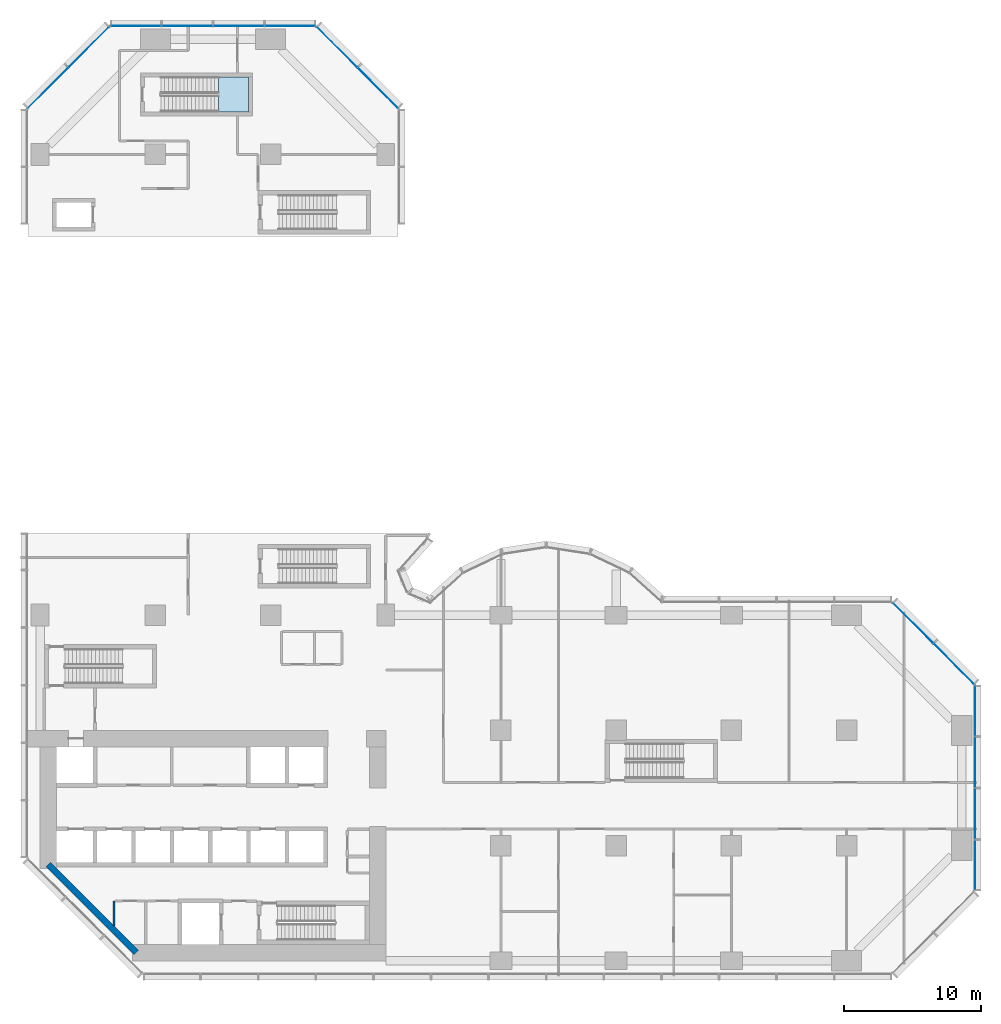
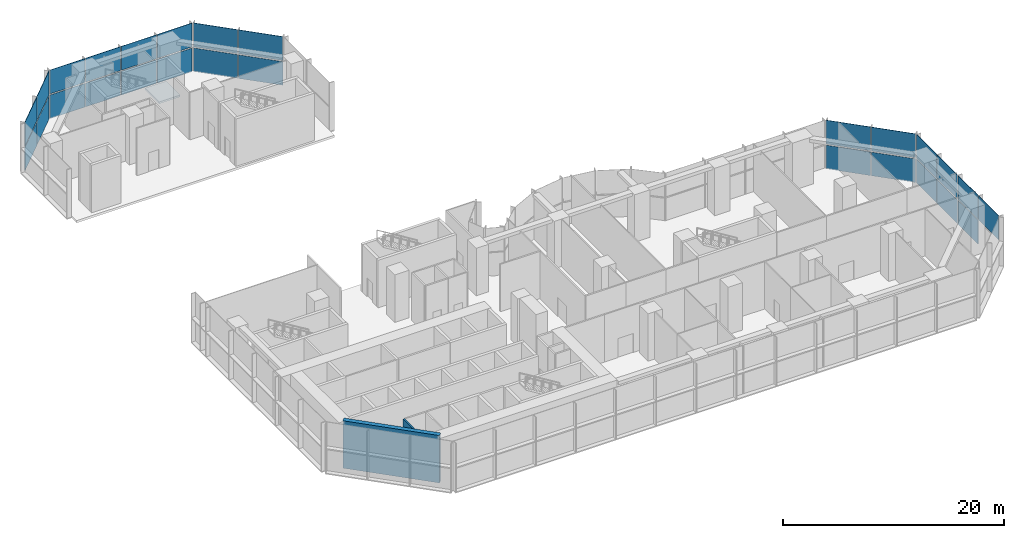
# One storey, part 7 of 16: 27 plates, 2 walls, 1 slab, 6 elements without a shape of their own.
"""IFC4 building model written with IfcOpenShell, lengths in metres."""

from ifc_helpers import new_model, si_unit, direction, frame, frame_2d, origin, place, context, subcontext, project, spatial, polyline, rectangle, outline, extrude, material, layer, layer_set, type_object, element, aggregate, save


model = new_model("IFC4")

# Units and contexts
model_context = context("Model", 3, precision=1e-05, world=origin(), true_north=direction((0.0, 1.0)))
body_context = subcontext(model_context, "Body", "Model", "MODEL_VIEW")
ifc_project = project(units=[si_unit("LENGTHUNIT", "METRE"), si_unit("AREAUNIT", "SQUARE_METRE"), si_unit("VOLUMEUNIT", "CUBIC_METRE"), si_unit("PLANEANGLEUNIT", "RADIAN"), si_unit("MASSUNIT", "GRAM", prefix="KILO")], contexts=[model_context])

# Site, building, storey
site_placement = place(None, origin())
site = spatial("IfcSite", under=ifc_project, at=site_placement, CompositionType="ELEMENT")
building_placement = place(site_placement, origin())
building = spatial("IfcBuilding", under=site, at=building_placement, Name="Brevane Broadcast Tower", CompositionType="ELEMENT")
storey_placement = place(building_placement, frame((0.0, 0.0, 7.0)))
storey = spatial("IfcBuildingStorey", under=building, at=storey_placement, Name="L01", CompositionType="ELEMENT", Elevation=7.0)

# Curtain wall, plates
ifc_material_1 = material(Name="Aluminium 6063-T6 bronze anodised", Category="aluminium")
curtain_wall_type = type_object("IfcCurtainWallType", Name="CW-2 curtain wall", PredefinedType="NOTDEFINED", material=ifc_material_1)
curtain_wall_1_placement = place(storey_placement, origin())
curtain_wall_1 = element("IfcCurtainWall", 1, at=curtain_wall_1_placement, inside=storey, type_object=curtain_wall_type, Name="CW-2 podium base unit L01 east end", PredefinedType="NOTDEFINED")
ifc_material_2 = material(Name="Laminated glass bronze-tinted", Category="glass")
ifc_layer_1 = layer(ifc_material_2, 0.0400390625)
ifc_layer_set_1 = layer_set([ifc_layer_1], Name="CW glass panel 40")
plate_type = type_object("IfcPlateType", Name="CW glass panel 40", PredefinedType="CURTAIN_PANEL", material=ifc_layer_set_1)
plate_1_placement = place(storey_placement, frame((0.0, 0.0, 2.610107421875)))
plate_1 = element("IfcPlate", 2, at=plate_1_placement, type_object=plate_type, Name="CW-2 glass panel", PredefinedType="CURTAIN_PANEL", context=body_context, shape_type="SweptSolid", body=[
    extrude(outline(polyline([(68.169921875, 8.804931640625), (68.1298828125, 8.804931640625), (68.1298828125, 5.14501953125), (68.169921875, 5.14501953125), (68.169921875, 8.804931640625)])), origin(), (0.0, 0.0, 1.0), 2.639892578125),
])
plate_2_placement = place(storey_placement, frame((0.0, 0.0, -0.1298828125)))
plate_2 = element("IfcPlate", 3, at=plate_2_placement, type_object=plate_type, Name="CW-2 glass panel", PredefinedType="CURTAIN_PANEL", context=body_context, shape_type="SweptSolid", body=[
    extrude(outline(polyline([(68.169921875, 12.554931640625), (68.1298828125, 12.554931640625), (68.1298828125, 8.89501953125), (68.169921875, 8.89501953125), (68.169921875, 12.554931640625)])), origin(), (0.0, 0.0, 1.0), 2.619873046875),
])
plate_3_placement = place(storey_placement, frame((0.0, 0.0, 2.610107421875)))
plate_3 = element("IfcPlate", 4, at=plate_3_placement, type_object=plate_type, Name="CW-2 glass panel", PredefinedType="CURTAIN_PANEL", context=body_context, shape_type="SweptSolid", body=[
    extrude(outline(polyline([(68.169921875, 12.554931640625), (68.1298828125, 12.554931640625), (68.1298828125, 8.89501953125), (68.169921875, 8.89501953125), (68.169921875, 12.554931640625)])), origin(), (0.0, 0.0, 1.0), 2.639892578125),
])
plate_4_placement = place(storey_placement, frame((0.0, 0.0, -0.1298828125)))
plate_4 = element("IfcPlate", 5, at=plate_4_placement, type_object=plate_type, Name="CW-2 glass panel", PredefinedType="CURTAIN_PANEL", context=body_context, shape_type="SweptSolid", body=[
    extrude(outline(polyline([(68.169921875, 16.304931640625), (68.1298828125, 16.304931640625), (68.1298828125, 12.64501953125), (68.169921875, 12.64501953125), (68.169921875, 16.304931640625)])), origin(), (0.0, 0.0, 1.0), 2.619873046875),
])
plate_5_placement = place(storey_placement, frame((0.0, 0.0, 2.610107421875)))
plate_5 = element("IfcPlate", 6, at=plate_5_placement, type_object=plate_type, Name="CW-2 glass panel", PredefinedType="CURTAIN_PANEL", context=body_context, shape_type="SweptSolid", body=[
    extrude(outline(polyline([(68.169921875, 16.304931640625), (68.1298828125, 16.304931640625), (68.1298828125, 12.64501953125), (68.169921875, 12.64501953125), (68.169921875, 16.304931640625)])), origin(), (0.0, 0.0, 1.0), 2.639892578125),
])
plate_6_placement = place(storey_placement, frame((0.0, 0.0, -0.1298828125)))
plate_6 = element("IfcPlate", 7, at=plate_6_placement, type_object=plate_type, Name="CW-2 glass panel", PredefinedType="CURTAIN_PANEL", context=body_context, shape_type="SweptSolid", body=[
    extrude(outline(polyline([(68.169921875, 20.054931640625), (68.1298828125, 20.054931640625), (68.1298828125, 16.39501953125), (68.169921875, 16.39501953125), (68.169921875, 20.054931640625)])), origin(), (0.0, 0.0, 1.0), 2.619873046875),
])
plate_7_placement = place(storey_placement, frame((0.0, 0.0, 2.610107421875)))
plate_7 = element("IfcPlate", 8, at=plate_7_placement, type_object=plate_type, Name="CW-2 glass panel", PredefinedType="CURTAIN_PANEL", context=body_context, shape_type="SweptSolid", body=[
    extrude(outline(polyline([(68.169921875, 20.054931640625), (68.1298828125, 20.054931640625), (68.1298828125, 16.39501953125), (68.169921875, 16.39501953125), (68.169921875, 20.054931640625)])), origin(), (0.0, 0.0, 1.0), 2.639892578125),
])
aggregate(curtain_wall_1, [plate_1, plate_2, plate_3, plate_4, plate_5, plate_6, plate_7])

curtain_wall_2_placement = place(storey_placement, origin())
curtain_wall_2 = element("IfcCurtainWall", 9, at=curtain_wall_2_placement, inside=storey, type_object=curtain_wall_type, Name="CW-2 podium base unit L01 north-east chamfer", PredefinedType="NOTDEFINED")
plate_8_placement = place(storey_placement, frame((0.0, 0.0, -0.1298828125)))
plate_8 = element("IfcPlate", 10, at=plate_8_placement, type_object=plate_type, Name="CW-2 glass panel", PredefinedType="CURTAIN_PANEL", context=body_context, shape_type="SweptSolid", body=[
    extrude(outline(polyline([(68.08935546875, 20.153076171875), (65.153076171875, 23.08935546875), (65.181396484375, 23.11767578125), (68.11767578125, 20.181396484375), (68.08935546875, 20.153076171875)])), origin(), (0.0, 0.0, 1.0), 2.619873046875),
])
plate_9_placement = place(storey_placement, frame((0.0, 0.0, 2.610107421875)))
plate_9 = element("IfcPlate", 11, at=plate_9_placement, type_object=plate_type, Name="CW-2 glass panel", PredefinedType="CURTAIN_PANEL", context=body_context, shape_type="SweptSolid", body=[
    extrude(outline(polyline([(68.08935546875, 20.153076171875), (65.153076171875, 23.08935546875), (65.181396484375, 23.11767578125), (68.11767578125, 20.181396484375), (68.08935546875, 20.153076171875)])), origin(), (0.0, 0.0, 1.0), 2.639892578125),
])
plate_10_placement = place(storey_placement, frame((0.0, 0.0, -0.1298828125)))
plate_10 = element("IfcPlate", 12, at=plate_10_placement, type_object=plate_type, Name="CW-2 glass panel", PredefinedType="CURTAIN_PANEL", context=body_context, shape_type="SweptSolid", body=[
    extrude(outline(polyline([(65.08935546875, 23.153076171875), (62.153076171875, 26.08935546875), (62.181396484375, 26.11767578125), (65.11767578125, 23.181396484375), (65.08935546875, 23.153076171875)])), origin(), (0.0, 0.0, 1.0), 2.619873046875),
])
plate_11_placement = place(storey_placement, frame((0.0, 0.0, 2.610107421875)))
plate_11 = element("IfcPlate", 13, at=plate_11_placement, type_object=plate_type, Name="CW-2 glass panel", PredefinedType="CURTAIN_PANEL", context=body_context, shape_type="SweptSolid", body=[
    extrude(outline(polyline([(65.08935546875, 23.153076171875), (62.153076171875, 26.08935546875), (62.181396484375, 26.11767578125), (65.11767578125, 23.181396484375), (65.08935546875, 23.153076171875)])), origin(), (0.0, 0.0, 1.0), 2.639892578125),
])
aggregate(curtain_wall_2, [plate_8, plate_9, plate_10, plate_11])

curtain_wall_3_placement = place(storey_placement, origin())
curtain_wall_3 = element("IfcCurtainWall", 14, at=curtain_wall_3_placement, inside=storey, type_object=curtain_wall_type, Name="CW-2 podium base unit L01 north arm north-east chamfer", PredefinedType="NOTDEFINED")
plate_12_placement = place(storey_placement, frame((0.0, 0.0, -0.1298828125)))
plate_12 = element("IfcPlate", 15, at=plate_12_placement, type_object=plate_type, Name="CW-2 glass panel", PredefinedType="CURTAIN_PANEL", context=body_context, shape_type="SweptSolid", body=[
    extrude(outline(polyline([(26.08935546875, 62.153076171875), (23.153076171875, 65.08935546875), (23.181396484375, 65.11767578125), (26.11767578125, 62.181396484375), (26.08935546875, 62.153076171875)])), origin(), (0.0, 0.0, 1.0), 2.619873046875),
])
plate_13_placement = place(storey_placement, frame((0.0, 0.0, 2.610107421875)))
plate_13 = element("IfcPlate", 16, at=plate_13_placement, type_object=plate_type, Name="CW-2 glass panel", PredefinedType="CURTAIN_PANEL", context=body_context, shape_type="SweptSolid", body=[
    extrude(outline(polyline([(26.08935546875, 62.153076171875), (23.153076171875, 65.08935546875), (23.181396484375, 65.11767578125), (26.11767578125, 62.181396484375), (26.08935546875, 62.153076171875)])), origin(), (0.0, 0.0, 1.0), 2.639892578125),
])
plate_14_placement = place(storey_placement, frame((0.0, 0.0, -0.1298828125)))
plate_14 = element("IfcPlate", 17, at=plate_14_placement, type_object=plate_type, Name="CW-2 glass panel", PredefinedType="CURTAIN_PANEL", context=body_context, shape_type="SweptSolid", body=[
    extrude(outline(polyline([(23.08935546875, 65.153076171875), (20.153076171875, 68.08935546875), (20.181396484375, 68.11767578125), (23.11767578125, 65.181396484375), (23.08935546875, 65.153076171875)])), origin(), (0.0, 0.0, 1.0), 2.619873046875),
])
plate_15_placement = place(storey_placement, frame((0.0, 0.0, 2.610107421875)))
plate_15 = element("IfcPlate", 18, at=plate_15_placement, type_object=plate_type, Name="CW-2 glass panel", PredefinedType="CURTAIN_PANEL", context=body_context, shape_type="SweptSolid", body=[
    extrude(outline(polyline([(23.08935546875, 65.153076171875), (20.153076171875, 68.08935546875), (20.181396484375, 68.11767578125), (23.11767578125, 65.181396484375), (23.08935546875, 65.153076171875)])), origin(), (0.0, 0.0, 1.0), 2.639892578125),
])
aggregate(curtain_wall_3, [plate_12, plate_13, plate_14, plate_15])

curtain_wall_4_placement = place(storey_placement, origin())
curtain_wall_4 = element("IfcCurtainWall", 19, at=curtain_wall_4_placement, inside=storey, type_object=curtain_wall_type, Name="CW-2 podium base unit L01 north end", PredefinedType="NOTDEFINED")
plate_16_placement = place(storey_placement, frame((0.0, 0.0, -0.1298828125)))
plate_16 = element("IfcPlate", 20, at=plate_16_placement, type_object=plate_type, Name="CW-2 glass panel", PredefinedType="CURTAIN_PANEL", context=body_context, shape_type="SweptSolid", body=[
    extrude(outline(polyline([(16.39501953125, 68.169921875), (16.39501953125, 68.1298828125), (20.054931640625, 68.1298828125), (20.054931640625, 68.169921875), (16.39501953125, 68.169921875)])), origin(), (0.0, 0.0, 1.0), 2.619873046875),
])
plate_17_placement = place(storey_placement, frame((0.0, 0.0, 2.610107421875)))
plate_17 = element("IfcPlate", 21, at=plate_17_placement, type_object=plate_type, Name="CW-2 glass panel", PredefinedType="CURTAIN_PANEL", context=body_context, shape_type="SweptSolid", body=[
    extrude(outline(polyline([(16.39501953125, 68.169921875), (16.39501953125, 68.1298828125), (20.054931640625, 68.1298828125), (20.054931640625, 68.169921875), (16.39501953125, 68.169921875)])), origin(), (0.0, 0.0, 1.0), 2.639892578125),
])
plate_18_placement = place(storey_placement, frame((0.0, 0.0, -0.1298828125)))
plate_18 = element("IfcPlate", 22, at=plate_18_placement, type_object=plate_type, Name="CW-2 glass panel", PredefinedType="CURTAIN_PANEL", context=body_context, shape_type="SweptSolid", body=[
    extrude(outline(polyline([(12.64501953125, 68.169921875), (12.64501953125, 68.1298828125), (16.304931640625, 68.1298828125), (16.304931640625, 68.169921875), (12.64501953125, 68.169921875)])), origin(), (0.0, 0.0, 1.0), 2.619873046875),
])
plate_19_placement = place(storey_placement, frame((0.0, 0.0, 2.610107421875)))
plate_19 = element("IfcPlate", 23, at=plate_19_placement, type_object=plate_type, Name="CW-2 glass panel", PredefinedType="CURTAIN_PANEL", context=body_context, shape_type="SweptSolid", body=[
    extrude(outline(polyline([(12.64501953125, 68.169921875), (12.64501953125, 68.1298828125), (16.304931640625, 68.1298828125), (16.304931640625, 68.169921875), (12.64501953125, 68.169921875)])), origin(), (0.0, 0.0, 1.0), 2.639892578125),
])
plate_20_placement = place(storey_placement, frame((0.0, 0.0, -0.1298828125)))
plate_20 = element("IfcPlate", 24, at=plate_20_placement, type_object=plate_type, Name="CW-2 glass panel", PredefinedType="CURTAIN_PANEL", context=body_context, shape_type="SweptSolid", body=[
    extrude(outline(polyline([(8.89501953125, 68.169921875), (8.89501953125, 68.1298828125), (12.554931640625, 68.1298828125), (12.554931640625, 68.169921875), (8.89501953125, 68.169921875)])), origin(), (0.0, 0.0, 1.0), 2.619873046875),
])
plate_21_placement = place(storey_placement, frame((0.0, 0.0, 2.610107421875)))
plate_21 = element("IfcPlate", 25, at=plate_21_placement, type_object=plate_type, Name="CW-2 glass panel", PredefinedType="CURTAIN_PANEL", context=body_context, shape_type="SweptSolid", body=[
    extrude(outline(polyline([(8.89501953125, 68.169921875), (8.89501953125, 68.1298828125), (12.554931640625, 68.1298828125), (12.554931640625, 68.169921875), (8.89501953125, 68.169921875)])), origin(), (0.0, 0.0, 1.0), 2.639892578125),
])
plate_22_placement = place(storey_placement, frame((0.0, 0.0, -0.1298828125)))
plate_22 = element("IfcPlate", 26, at=plate_22_placement, type_object=plate_type, Name="CW-2 glass panel", PredefinedType="CURTAIN_PANEL", context=body_context, shape_type="SweptSolid", body=[
    extrude(outline(polyline([(5.14501953125, 68.169921875), (5.14501953125, 68.1298828125), (8.804931640625, 68.1298828125), (8.804931640625, 68.169921875), (5.14501953125, 68.169921875)])), origin(), (0.0, 0.0, 1.0), 2.619873046875),
])
plate_23_placement = place(storey_placement, frame((0.0, 0.0, 2.610107421875)))
plate_23 = element("IfcPlate", 27, at=plate_23_placement, type_object=plate_type, Name="CW-2 glass panel", PredefinedType="CURTAIN_PANEL", context=body_context, shape_type="SweptSolid", body=[
    extrude(outline(polyline([(5.14501953125, 68.169921875), (5.14501953125, 68.1298828125), (8.804931640625, 68.1298828125), (8.804931640625, 68.169921875), (5.14501953125, 68.169921875)])), origin(), (0.0, 0.0, 1.0), 2.639892578125),
])
aggregate(curtain_wall_4, [plate_16, plate_17, plate_18, plate_19, plate_20, plate_21, plate_22, plate_23])

curtain_wall_5_placement = place(storey_placement, origin())
curtain_wall_5 = element("IfcCurtainWall", 28, at=curtain_wall_5_placement, inside=storey, type_object=curtain_wall_type, Name="CW-2 podium base unit L01 north-west chamfer", PredefinedType="NOTDEFINED")
plate_24_placement = place(storey_placement, frame((0.0, 0.0, -0.1298828125)))
plate_24 = element("IfcPlate", 29, at=plate_24_placement, type_object=plate_type, Name="CW-2 glass panel", PredefinedType="CURTAIN_PANEL", context=body_context, shape_type="SweptSolid", body=[
    extrude(outline(polyline([(5.047119140625, 68.08935546875), (2.110595703125, 65.153076171875), (2.082275390625, 65.181396484375), (5.018798828125, 68.11767578125), (5.047119140625, 68.08935546875)])), origin(), (0.0, 0.0, 1.0), 2.619873046875),
])
plate_25_placement = place(storey_placement, frame((0.0, 0.0, 2.610107421875)))
plate_25 = element("IfcPlate", 30, at=plate_25_placement, type_object=plate_type, Name="CW-2 glass panel", PredefinedType="CURTAIN_PANEL", context=body_context, shape_type="SweptSolid", body=[
    extrude(outline(polyline([(5.047119140625, 68.08935546875), (2.110595703125, 65.153076171875), (2.082275390625, 65.181396484375), (5.018798828125, 68.11767578125), (5.047119140625, 68.08935546875)])), origin(), (0.0, 0.0, 1.0), 2.639892578125),
])
plate_26_placement = place(storey_placement, frame((0.0, 0.0, -0.1298828125)))
plate_26 = element("IfcPlate", 31, at=plate_26_placement, type_object=plate_type, Name="CW-2 glass panel", PredefinedType="CURTAIN_PANEL", context=body_context, shape_type="SweptSolid", body=[
    extrude(outline(polyline([(2.047119140625, 65.08935546875), (-0.889404296875, 62.153076171875), (-0.917724609375, 62.181396484375), (2.018798828125, 65.11767578125), (2.047119140625, 65.08935546875)])), origin(), (0.0, 0.0, 1.0), 2.619873046875),
])
plate_27_placement = place(storey_placement, frame((0.0, 0.0, 2.610107421875)))
plate_27 = element("IfcPlate", 32, at=plate_27_placement, type_object=plate_type, Name="CW-2 glass panel", PredefinedType="CURTAIN_PANEL", context=body_context, shape_type="SweptSolid", body=[
    extrude(outline(polyline([(2.047119140625, 65.08935546875), (-0.889404296875, 62.153076171875), (-0.917724609375, 62.181396484375), (2.018798828125, 65.11767578125), (2.047119140625, 65.08935546875)])), origin(), (0.0, 0.0, 1.0), 2.639892578125),
])
aggregate(curtain_wall_5, [plate_24, plate_25, plate_26, plate_27])

# Stair, slab
ifc_material_3 = material(Name="Concrete C50/60", Category="concrete")
stair_type = type_object("IfcStairType", Name="Exit stair 32 risers", PredefinedType="HALF_TURN_STAIR", material=ifc_material_3)
stair_placement = place(storey_placement, origin())
stair = element("IfcStair", 33, at=stair_placement, inside=storey, type_object=stair_type, Name="L01 Exit stair ST-6", PredefinedType="HALF_TURN_STAIR")
ifc_layer_2 = layer(ifc_material_3, 0.199951171875)
ifc_layer_set_2 = layer_set([ifc_layer_2], Name="Exit stair landing")
slab_type = type_object("IfcSlabType", Name="Exit stair landing", PredefinedType="LANDING", material=ifc_layer_set_2)
slab_placement = place(storey_placement, frame((0.0, 0.0, 2.550048828125)))
slab = element("IfcSlab", 34, at=slab_placement, type_object=slab_type, Name="ST-6 landing 1", PredefinedType="LANDING", context=body_context, shape_type="SweptSolid", body=[
    extrude(outline(polyline([(13.0, 61.89990234375), (15.199951171875, 61.89990234375), (15.199951171875, 64.449951171875), (13.0, 64.449951171875), (13.0, 61.89990234375)])), origin(), (0.0, 0.0, 1.0), 0.199951171875),
])
aggregate(stair, [slab])

# Walls
ifc_material_4 = material(Name="Gypsum board on steel studs", Category="steel")
ifc_layer_3 = layer(ifc_material_4, 0.14990234375)
ifc_layer_set_3 = layer_set([ifc_layer_3], Name="Core fire partition 150 mm")
wall_type_1 = type_object("IfcWallType", Name="Core fire partition 150 mm", PredefinedType="PARTITIONING", material=ifc_layer_set_3)
wall_1_placement = place(storey_placement, frame((5.39990234375, 2.553466796875, 0.0), z_axis=(0.0, 0.0, 1.0), x_axis=(0.0, 1.0, 0.0)))
element("IfcWall", 35, at=wall_1_placement, inside=storey, type_object=wall_type_1, Name="L01 partition wall P10", PredefinedType="PARTITIONING", context=body_context, shape_type="SweptSolid", body=[
    extrude(rectangle(XDim=1.796630859375, YDim=0.14990234375, at=frame_2d((0.8984375, 0.0))), origin(), (0.0, 0.0, 1.0), 5.25),
])
ifc_material_5 = material(Name="Concrete C80/95", Category="concrete")
ifc_layer_4 = layer(ifc_material_5, 0.449951171875)
ifc_layer_set_4 = layer_set([ifc_layer_4], Name="Core wall 450 mm C80/95")
wall_type_2 = type_object("IfcWallType", Name="Core wall 450 mm C80/95", PredefinedType="SHEAR", material=ifc_layer_set_4)
wall_2_placement = place(storey_placement, frame((0.60009765625, 7.018310546875, 0.0), z_axis=(0.0, 0.0, 1.0), x_axis=(0.707106781187, -0.707106781187, 0.0)))
element("IfcWall", 36, at=wall_2_placement, inside=storey, type_object=wall_type_2, Name="L01 outer wall WC", PredefinedType="SHEAR", context=body_context, shape_type="SweptSolid", body=[
    extrude(rectangle(XDim=9.07666015625, YDim=0.449951171875, at=frame_2d((4.538330078125, 0.0))), origin(), (0.0, 0.0, 1.0), 5.25),
])

save(model, "model.ifc")
